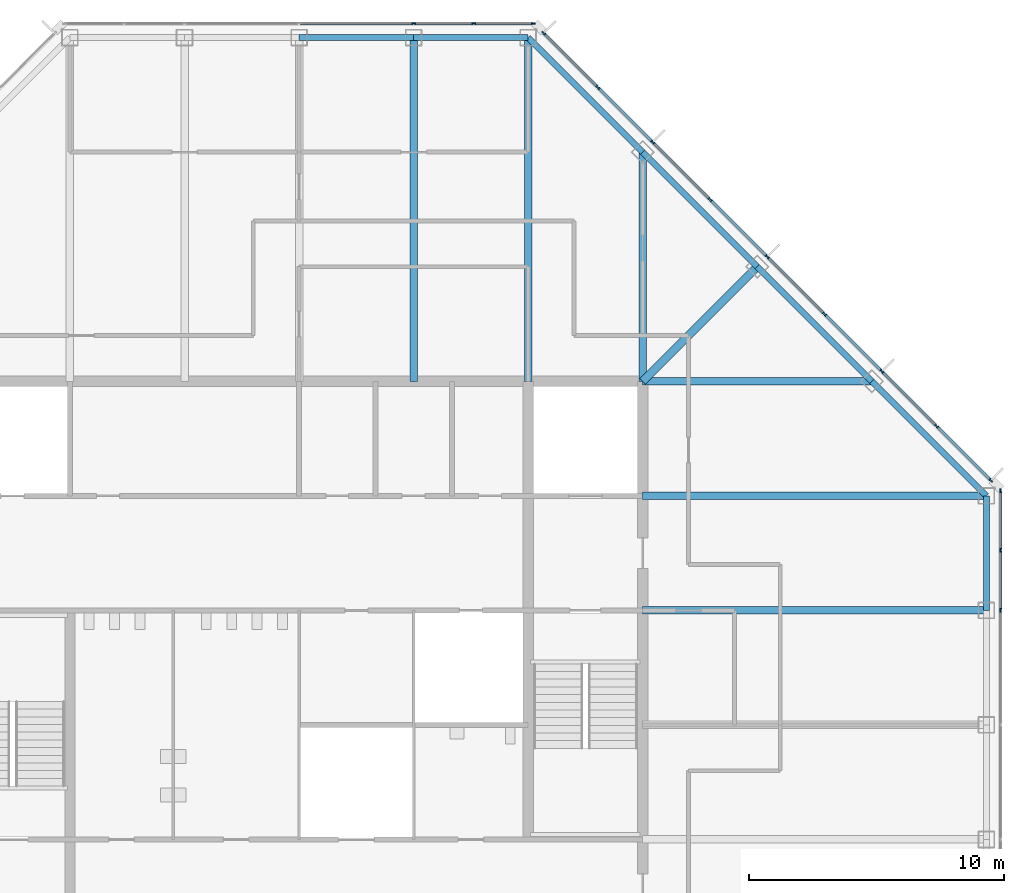
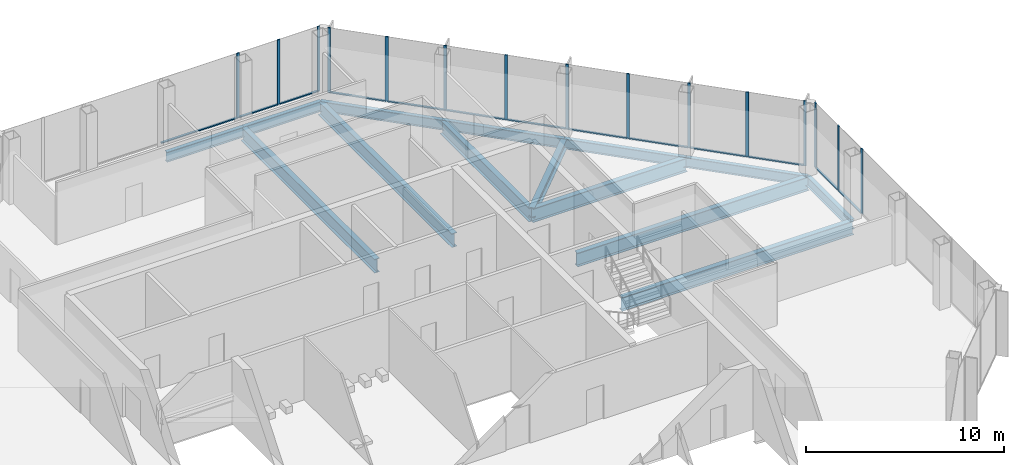
# One storey, part 7 of 13: 28 members, 14 beams, 3 elements without a shape of their own.
"""IFC4 building model written with IfcOpenShell, lengths in metres."""

import ifcopenshell
import ifcopenshell.guid

model = None  # the IFC model being written
_history = None  # IfcOwnerHistory: only IFC2X3 demands one
_inside = {}  # id of a spatial element -> (the spatial element, [elements in it])
_under = {}  # id of a project, library or spatial element -> (it, [spatial elements below it])
_declared = {}  # id of a project -> (the project, [libraries it declares])
_typed = {}  # id of a type object -> (the type object, [elements of that type])
_made_of = {}  # id of a material, layer set ... -> (it, [elements and type objects made of it])


def new_model(schema):
    """Start an empty IFC model of exactly this schema.

    Asked for "IFC4X3", IfcOpenShell would pick the latest addendum, in which some entities
    have other attributes; the version numbers below select the first issue.
    IFC2X3 requires an IfcOwnerHistory on every rooted entity: one is made here for all.
    """
    global model, _history
    if schema == "IFC4X3":
        model = ifcopenshell.file(schema_version=(4, 3, 0, 0))
    else:
        model = ifcopenshell.file(schema=schema)
    _inside.clear()
    _under.clear()
    _declared.clear()
    _typed.clear()
    _made_of.clear()
    _history = None
    if model.schema == "IFC2X3":
        org = make("IfcOrganization", Name="unknown")
        user = make(
            "IfcPersonAndOrganization",
            ThePerson=make("IfcPerson", FamilyName="unknown"),
            TheOrganization=org,
        )
        app = make(
            "IfcApplication",
            ApplicationDeveloper=org,
            Version="unknown",
            ApplicationFullName="unknown",
            ApplicationIdentifier="unknown",
        )
        _history = make(
            "IfcOwnerHistory",
            OwningUser=user,
            OwningApplication=app,
            ChangeAction="ADDED",
            CreationDate=0,
        )
    return model


def make(cls, **values):
    """One entity of the class cls with the attributes given. An attribute that is None is left unset."""
    return model.create_entity(
        cls, **{name: value for name, value in values.items() if value is not None}
    )


def rooted(cls, **values):
    """An entity with a GlobalId (a new one), such as an element, a storey or a relation."""
    return make(cls, GlobalId=ifcopenshell.guid.new(), OwnerHistory=_history, **values)


def si_unit(unit_type, name, prefix=None):
    """IfcSIUnit, for example si_unit("LENGTHUNIT", "METRE", prefix="MILLI")."""
    return make("IfcSIUnit", UnitType=unit_type, Prefix=prefix, Name=name)


def assignment(units):
    """IfcUnitAssignment: the units of a project."""
    return None if units is None else make("IfcUnitAssignment", Units=units)


def point(xyz):
    """IfcCartesianPoint."""
    return None if xyz is None else make("IfcCartesianPoint", Coordinates=xyz)


def direction(xyz):
    """IfcDirection."""
    return None if xyz is None else make("IfcDirection", DirectionRatios=xyz)


def frame(location, z_axis=None, x_axis=None):
    """IfcAxis2Placement3D, a coordinate frame: its origin and axes. An axis left out is left unset."""
    return make(
        "IfcAxis2Placement3D",
        Location=point(location),
        Axis=direction(z_axis),
        RefDirection=direction(x_axis),
    )


def frame_2d(location, x_axis=None):
    """IfcAxis2Placement2D, a coordinate frame in the plane: its origin and x axis."""
    return make(
        "IfcAxis2Placement2D", Location=point(location), RefDirection=direction(x_axis)
    )


def origin():
    """The frame at (0, 0, 0) with its axes left unset."""
    return frame((0.0, 0.0, 0.0))


def origin_2d():
    """The frame at (0, 0) in the plane with its x axis left unset."""
    return frame_2d((0.0, 0.0))


def place(relative_to, where):
    """IfcLocalPlacement: puts the frame where relative to a parent placement (None: the world)."""
    return make(
        "IfcLocalPlacement", PlacementRelTo=relative_to, RelativePlacement=where
    )


def context(
    kind, dimensions, precision=None, world=None, true_north=None, identifier=None
):
    """IfcGeometricRepresentationContext, for example the 3D "Model" context."""
    return make(
        "IfcGeometricRepresentationContext",
        ContextIdentifier=identifier,
        ContextType=kind,
        CoordinateSpaceDimension=dimensions,
        Precision=precision,
        WorldCoordinateSystem=world,
        TrueNorth=true_north,
    )


def subcontext(parent, identifier, kind, view, scale=None):
    """IfcGeometricRepresentationSubContext, for example "Body" below "Model"."""
    return make(
        "IfcGeometricRepresentationSubContext",
        ContextIdentifier=identifier,
        ContextType=kind,
        ParentContext=parent,
        TargetScale=scale,
        TargetView=view,
    )


def project(units=None, contexts=None):
    """IfcProject with its units and contexts."""
    return rooted(
        "IfcProject",
        Name="project",
        RepresentationContexts=contexts,
        UnitsInContext=assignment(units),
    )


def spatial(cls, under=None, at=None, **own):
    """A site, building, storey or space (cls), placed at a placement, below another one or the project."""
    s = rooted(cls, ObjectPlacement=at, **own)
    if under is not None:
        _under.setdefault(under.id(), (under, []))[1].append(s)
    return s


def profile(cls, at=None, kind="AREA", **sizes):
    """A parametric profile (cls). Its sizes go by their IFC names, for example OverallWidth=200.0."""
    return make(cls, ProfileType=kind, Position=at, **sizes)


def rectangle(**sizes):
    """IfcRectangleProfileDef."""
    return profile("IfcRectangleProfileDef", **sizes)


def i_section(**sizes):
    """IfcIShapeProfileDef."""
    return profile("IfcIShapeProfileDef", **sizes)


def extrude(swept, where, along, depth):
    """IfcExtrudedAreaSolid: the profile swept, set in the frame where, extruded along a direction by depth."""
    return make(
        "IfcExtrudedAreaSolid",
        SweptArea=swept,
        Position=where,
        ExtrudedDirection=direction(along),
        Depth=depth,
    )


def shape(context_of_items, identifier, shape_type, items):
    """IfcShapeRepresentation: the items that make up one representation, for example the "Body"."""
    return make(
        "IfcShapeRepresentation",
        ContextOfItems=context_of_items,
        RepresentationIdentifier=identifier,
        RepresentationType=shape_type,
        Items=items,
    )


def material(Name=None, Category=None):
    """IfcMaterial."""
    return make("IfcMaterial", Name=Name, Category=Category)


def material_profile(
    of_material, cross_section, Name=None, Category=None, Priority=None
):
    """IfcMaterialProfile: a cross section and its material."""
    return make(
        "IfcMaterialProfile",
        Name=Name,
        Material=of_material,
        Profile=cross_section,
        Priority=Priority,
        Category=Category,
    )


def profile_set(profiles, Name=None, composite=None):
    """IfcMaterialProfileSet."""
    return make(
        "IfcMaterialProfileSet",
        Name=Name,
        MaterialProfiles=profiles,
        CompositeProfile=composite,
    )


def made_of(thing, what):
    """Note that an element or type object is made of a material, layer set ...; save() writes the relation."""
    if what is not None:
        _made_of.setdefault(what.id(), (what, []))[1].append(thing)
    return thing


def type_object(cls, material=None, **own):
    """A type object (cls), such as IfcWallType, which elements share."""
    return made_of(rooted(cls, **own), material)


def element(
    cls,
    number,
    at=None,
    inside=None,
    cuts=None,
    type_object=None,
    material=None,
    context=None,
    identifier="Body",
    shape_type=None,
    held_by="IfcProductDefinitionShape",
    body=None,
    shapes=None,
    **own,
):
    """One element of the class cls, such as IfcWall. Its Tag is "e" and its number.

    at: its placement. inside: the storey or other place that contains it. cuts: it is an
    opening in that element (IfcRelVoidsElement). A single representation is given by context,
    identifier, shape_type and body (its items); several are given by shapes. held_by: the class
    of the entity that holds the representations. save() writes the other relations.
    """
    e = rooted(cls, Tag="e%d" % number, ObjectPlacement=at, **own)
    if body is not None:
        shapes = [shape(context, identifier, shape_type, body)]
    if shapes is not None:
        e.Representation = make(held_by, Representations=shapes)
    if inside is not None:
        _inside.setdefault(inside.id(), (inside, []))[1].append(e)
    if cuts is not None:
        rooted(
            "IfcRelVoidsElement", RelatingBuildingElement=cuts, RelatedOpeningElement=e
        )
    if type_object is not None:
        _typed.setdefault(type_object.id(), (type_object, []))[1].append(e)
    return made_of(e, material)


def aggregate(whole, parts):
    """IfcRelAggregates: a whole, such as a stair, and the parts it consists of."""
    return rooted("IfcRelAggregates", RelatingObject=whole, RelatedObjects=parts)


def save(model, path):
    """Write the relations noted so far, then the file.

    IfcRelAggregates (storeys below a building ...), IfcRelContainedInSpatialStructure (elements
    in a storey), IfcRelDefinesByType, IfcRelAssociatesMaterial and IfcRelDeclares: one each for
    every whole, place, type object, material and project.
    """
    for whole, parts in _under.values():
        aggregate(whole, parts)
    for where, things in _inside.values():
        rooted(
            "IfcRelContainedInSpatialStructure",
            RelatedElements=things,
            RelatingStructure=where,
        )
    for kind, things in _typed.values():
        rooted("IfcRelDefinesByType", RelatedObjects=things, RelatingType=kind)
    for what, things in _made_of.values():
        rooted("IfcRelAssociatesMaterial", RelatedObjects=things, RelatingMaterial=what)
    for by, libraries in _declared.values():
        rooted("IfcRelDeclares", RelatingContext=by, RelatedDefinitions=libraries)
    model.write(path)


model = new_model("IFC4")

# Units and contexts
model_context = context("Model", 3, precision=1e-05, world=origin(), true_north=direction((0.0, 1.0)))
body_context = subcontext(model_context, "Body", "Model", "MODEL_VIEW")
ifc_project = project(units=[si_unit("LENGTHUNIT", "METRE"), si_unit("AREAUNIT", "SQUARE_METRE"), si_unit("VOLUMEUNIT", "CUBIC_METRE"), si_unit("PLANEANGLEUNIT", "RADIAN"), si_unit("MASSUNIT", "GRAM", prefix="KILO")], contexts=[model_context])

# Site, building, storey
site_placement = place(None, origin())
site = spatial("IfcSite", under=ifc_project, at=site_placement, CompositionType="ELEMENT")
building_placement = place(site_placement, origin())
building = spatial("IfcBuilding", under=site, at=building_placement, Name="Corais Broadcast Tower", CompositionType="ELEMENT")
storey_placement = place(building_placement, frame((0.0, 0.0, 238.60009765625)))
storey = spatial("IfcBuildingStorey", under=building, at=storey_placement, Name="L55", CompositionType="ELEMENT", Elevation=238.60009765625)

# Beams
ifc_material_1 = material(Name="Steel ASTM A572 Grade 50", Category="steel")
ifc_material_profile_1 = material_profile(ifc_material_1, i_section(OverallWidth=0.323974609375, OverallDepth=0.611083984375, WebThickness=0.0126953125, FlangeThickness=0.01904296875, at=origin_2d()), Name="W610x155")
ifc_profile_set_1 = profile_set([ifc_material_profile_1], Name="Steel ASTM A572 Grade 50")
beam_type_1 = type_object("IfcBeamType", Name="Corner diagonal W610x155", PredefinedType="BEAM", material=ifc_profile_set_1)
beam_1_placement = place(storey_placement, frame((45.0, 45.0, -0.465576171875), z_axis=(-0.707106781187, -0.707106781187, 0.0), x_axis=(0.707106781187, -0.707106781187, 0.0)))
element("IfcBeam", 1, at=beam_1_placement, inside=storey, type_object=beam_type_1, Name="B6 L/13 to K/12", PredefinedType="BEAM", context=body_context, shape_type="SweptSolid", body=[
    extrude(i_section(OverallWidth=0.323974609375, OverallDepth=0.611083984375, WebThickness=0.0126953125, FlangeThickness=0.01904296875, at=origin_2d()), origin(), (0.0, 0.0, 1.0), 6.364013671875),
])
ifc_material_2 = material(Name="Steel ASTM A572 Grade 50", Category="steel")
ifc_material_profile_2 = material_profile(ifc_material_2, i_section(OverallWidth=0.2939453125, OverallDepth=0.85107421875, WebThickness=0.01611328125, FlangeThickness=0.02685546875, at=origin_2d()), Name="W840x226")
ifc_profile_set_2 = profile_set([ifc_material_profile_2], Name="Steel ASTM A572 Grade 50")
beam_type_2 = type_object("IfcBeamType", Name="Floor beam W840x226", PredefinedType="BEAM", material=ifc_profile_set_2)
for number, where, z_axis, x_axis, name in (
    (2, (31.5, 54.0, -0.585693359375), (0.0, -1.0, 0.0), (1.0, 0.0, 0.0), "B1 N/10 to K/10"),
    (3, (36.0, 54.0, -0.585693359375), (0.0, -1.0, 0.0), (1.0, 0.0, 0.0), "B1 N/11 to K/11"),
):
    element("IfcBeam", number, at=place(storey_placement, frame(where, z_axis=z_axis, x_axis=x_axis)), inside=storey, type_object=beam_type_2, Name=name, PredefinedType="BEAM", context=body_context, shape_type="SweptSolid", body=[
        extrude(i_section(OverallWidth=0.2939453125, OverallDepth=0.85107421875, WebThickness=0.01611328125, FlangeThickness=0.02685546875, at=origin_2d()), origin(), (0.0, 0.0, 1.0), 13.5),
    ])
for number, where, z_axis, x_axis, name in (
    (4, (40.5, 49.5, -0.585693359375), (0.0, -1.0, 0.0), (1.0, 0.0, 0.0), "B1 M/12 to K/12"),
    (5, (49.5, 40.5, -0.585693359375), (-1.0, 0.0, 0.0), (0.0, -1.0, 0.0), "B1 K/14 to K/12"),
):
    element("IfcBeam", number, at=place(storey_placement, frame(where, z_axis=z_axis, x_axis=x_axis)), inside=storey, type_object=beam_type_2, Name=name, PredefinedType="BEAM", context=body_context, shape_type="SweptSolid", body=[
        extrude(i_section(OverallWidth=0.2939453125, OverallDepth=0.85107421875, WebThickness=0.01611328125, FlangeThickness=0.02685546875, at=origin_2d()), origin(), (0.0, 0.0, 1.0), 9.0),
    ])
for number, where, z_axis, x_axis, name in (
    (6, (54.0, 31.5, -0.585693359375), (-1.0, 0.0, 0.0), (0.0, -1.0, 0.0), "B1 H/15 to H/12"),
    (7, (54.0, 36.0, -0.585693359375), (-1.0, 0.0, 0.0), (0.0, -1.0, 0.0), "B1 J/15 to J/12"),
):
    element("IfcBeam", number, at=place(storey_placement, frame(where, z_axis=z_axis, x_axis=x_axis)), inside=storey, type_object=beam_type_2, Name=name, PredefinedType="BEAM", context=body_context, shape_type="SweptSolid", body=[
        extrude(i_section(OverallWidth=0.2939453125, OverallDepth=0.85107421875, WebThickness=0.01611328125, FlangeThickness=0.02685546875, at=origin_2d()), origin(), (0.0, 0.0, 1.0), 13.5),
    ])

# Curtain wall, members
ifc_material_3 = material(Name="Aluminium and glass", Category="aluminium")
curtain_wall_type = type_object("IfcCurtainWallType", Name="Unitised fritted curtain wall CW3", PredefinedType="NOTDEFINED", material=ifc_material_3)
curtain_wall_1_placement = place(storey_placement, origin())
curtain_wall_1 = element("IfcCurtainWall", 8, at=curtain_wall_1_placement, inside=storey, type_object=curtain_wall_type, Name="CW3 curtain wall L55 4", PredefinedType="NOTDEFINED")
ifc_material_4 = material(Name="Aluminium 6063-T6", Category="aluminium")
ifc_material_profile_3 = material_profile(ifc_material_4, rectangle(XDim=0.06494140625, YDim=0.159912109375, at=origin_2d()), Name="Mullion CW3 65x160")
ifc_profile_set_3 = profile_set([ifc_material_profile_3], Name="Aluminium 6063-T6")
member_type_1 = type_object("IfcMemberType", Name="Mullion CW3 65x160", PredefinedType="MULLION", material=ifc_profile_set_3)
member_1_placement = place(storey_placement, frame((31.5, 54.550048828125, 0.0), z_axis=(0.0, 0.0, 1.0), x_axis=(0.0, 1.0, 0.0)))
member_1 = element("IfcMember", 9, at=member_1_placement, type_object=member_type_1, Name="CW3 mullion 5", PredefinedType="MULLION", context=body_context, shape_type="SweptSolid", body=[
    extrude(rectangle(XDim=0.06494140625, YDim=0.159912109375, at=origin_2d()), origin(), (0.0, 0.0, 1.0), 4.0),
])
member_2_placement = place(storey_placement, frame((33.864013671875, 54.550048828125, 0.0), z_axis=(0.0, 0.0, 1.0), x_axis=(0.0, 1.0, 0.0)))
member_2 = element("IfcMember", 10, at=member_2_placement, type_object=member_type_1, Name="CW3 mullion 6", PredefinedType="MULLION", context=body_context, shape_type="SweptSolid", body=[
    extrude(rectangle(XDim=0.06494140625, YDim=0.159912109375, at=origin_2d()), origin(), (0.0, 0.0, 1.0), 4.0),
])
member_3_placement = place(storey_placement, frame((36.1953125, 54.550048828125, 0.0), z_axis=(0.0, 0.0, 1.0), x_axis=(0.0, 1.0, 0.0)))
member_3 = element("IfcMember", 11, at=member_3_placement, type_object=member_type_1, Name="CW3 mullion 7", PredefinedType="MULLION", context=body_context, shape_type="SweptSolid", body=[
    extrude(rectangle(XDim=0.06494140625, YDim=0.159912109375, at=origin_2d()), origin(), (0.0, 0.0, 1.0), 4.0),
])

curtain_wall_2_placement = place(storey_placement, origin())
curtain_wall_2 = element("IfcCurtainWall", 12, at=curtain_wall_2_placement, inside=storey, type_object=curtain_wall_type, Name="CW3 curtain wall L55 5", PredefinedType="NOTDEFINED")
member_4_placement = place(storey_placement, frame((36.6044921875, 54.17333984375, 0.0), z_axis=(0.0, 0.0, 1.0), x_axis=(0.707106781187, 0.707106781187, 0.0)))
member_4 = element("IfcMember", 13, at=member_4_placement, type_object=member_type_1, Name="CW3 mullion 1", PredefinedType="MULLION", context=body_context, shape_type="SweptSolid", body=[
    extrude(rectangle(XDim=0.06494140625, YDim=0.159912109375, at=origin_2d()), origin(), (0.0, 0.0, 1.0), 4.0),
])
member_5_placement = place(storey_placement, frame((38.735107421875, 52.042724609375, 0.0), z_axis=(0.0, 0.0, 1.0), x_axis=(0.707106781187, 0.707106781187, 0.0)))
member_5 = element("IfcMember", 14, at=member_5_placement, type_object=member_type_1, Name="CW3 mullion 2", PredefinedType="MULLION", context=body_context, shape_type="SweptSolid", body=[
    extrude(rectangle(XDim=0.06494140625, YDim=0.159912109375, at=origin_2d()), origin(), (0.0, 0.0, 1.0), 4.0),
])
member_6_placement = place(storey_placement, frame((40.888916015625, 49.888916015625, 0.0), z_axis=(0.0, 0.0, 1.0), x_axis=(0.707106781187, 0.707106781187, 0.0)))
member_6 = element("IfcMember", 15, at=member_6_placement, type_object=member_type_1, Name="CW3 mullion 3", PredefinedType="MULLION", context=body_context, shape_type="SweptSolid", body=[
    extrude(rectangle(XDim=0.06494140625, YDim=0.159912109375, at=origin_2d()), origin(), (0.0, 0.0, 1.0), 4.0),
])
member_7_placement = place(storey_placement, frame((43.138916015625, 47.638916015625, 0.0), z_axis=(0.0, 0.0, 1.0), x_axis=(0.707106781187, 0.707106781187, 0.0)))
member_7 = element("IfcMember", 16, at=member_7_placement, type_object=member_type_1, Name="CW3 mullion 4", PredefinedType="MULLION", context=body_context, shape_type="SweptSolid", body=[
    extrude(rectangle(XDim=0.06494140625, YDim=0.159912109375, at=origin_2d()), origin(), (0.0, 0.0, 1.0), 4.0),
])
member_8_placement = place(storey_placement, frame((45.388916015625, 45.388916015625, 0.0), z_axis=(0.0, 0.0, 1.0), x_axis=(0.707106781187, 0.707106781187, 0.0)))
member_8 = element("IfcMember", 17, at=member_8_placement, type_object=member_type_1, Name="CW3 mullion 5", PredefinedType="MULLION", context=body_context, shape_type="SweptSolid", body=[
    extrude(rectangle(XDim=0.06494140625, YDim=0.159912109375, at=origin_2d()), origin(), (0.0, 0.0, 1.0), 4.0),
])
member_9_placement = place(storey_placement, frame((47.638916015625, 43.138916015625, 0.0), z_axis=(0.0, 0.0, 1.0), x_axis=(0.707106781187, 0.707106781187, 0.0)))
member_9 = element("IfcMember", 18, at=member_9_placement, type_object=member_type_1, Name="CW3 mullion 6", PredefinedType="MULLION", context=body_context, shape_type="SweptSolid", body=[
    extrude(rectangle(XDim=0.06494140625, YDim=0.159912109375, at=origin_2d()), origin(), (0.0, 0.0, 1.0), 4.0),
])
member_10_placement = place(storey_placement, frame((49.888916015625, 40.888916015625, 0.0), z_axis=(0.0, 0.0, 1.0), x_axis=(0.707106781187, 0.707106781187, 0.0)))
member_10 = element("IfcMember", 19, at=member_10_placement, type_object=member_type_1, Name="CW3 mullion 7", PredefinedType="MULLION", context=body_context, shape_type="SweptSolid", body=[
    extrude(rectangle(XDim=0.06494140625, YDim=0.159912109375, at=origin_2d()), origin(), (0.0, 0.0, 1.0), 4.0),
])
member_11_placement = place(storey_placement, frame((52.042724609375, 38.735107421875, 0.0), z_axis=(0.0, 0.0, 1.0), x_axis=(0.707106781187, 0.707106781187, 0.0)))
member_11 = element("IfcMember", 20, at=member_11_placement, type_object=member_type_1, Name="CW3 mullion 8", PredefinedType="MULLION", context=body_context, shape_type="SweptSolid", body=[
    extrude(rectangle(XDim=0.06494140625, YDim=0.159912109375, at=origin_2d()), origin(), (0.0, 0.0, 1.0), 4.0),
])
member_12_placement = place(storey_placement, frame((54.17333984375, 36.6044921875, 0.0), z_axis=(0.0, 0.0, 1.0), x_axis=(0.707106781187, 0.707106781187, 0.0)))
member_12 = element("IfcMember", 21, at=member_12_placement, type_object=member_type_1, Name="CW3 mullion 9", PredefinedType="MULLION", context=body_context, shape_type="SweptSolid", body=[
    extrude(rectangle(XDim=0.06494140625, YDim=0.159912109375, at=origin_2d()), origin(), (0.0, 0.0, 1.0), 4.0),
])

curtain_wall_3_placement = place(storey_placement, origin())
curtain_wall_3 = element("IfcCurtainWall", 22, at=curtain_wall_3_placement, inside=storey, type_object=curtain_wall_type, Name="CW3 curtain wall L55 6", PredefinedType="NOTDEFINED")
member_13_placement = place(storey_placement, frame((54.550048828125, 36.1953125, 0.0), z_axis=(0.0, 0.0, 1.0), x_axis=(1.0, 0.0, 0.0)))
member_13 = element("IfcMember", 23, at=member_13_placement, type_object=member_type_1, Name="CW3 mullion 1", PredefinedType="MULLION", context=body_context, shape_type="SweptSolid", body=[
    extrude(rectangle(XDim=0.06494140625, YDim=0.159912109375, at=origin_2d()), origin(), (0.0, 0.0, 1.0), 4.0),
])
member_14_placement = place(storey_placement, frame((54.550048828125, 33.864013671875, 0.0), z_axis=(0.0, 0.0, 1.0), x_axis=(1.0, 0.0, 0.0)))
member_14 = element("IfcMember", 24, at=member_14_placement, type_object=member_type_1, Name="CW3 mullion 2", PredefinedType="MULLION", context=body_context, shape_type="SweptSolid", body=[
    extrude(rectangle(XDim=0.06494140625, YDim=0.159912109375, at=origin_2d()), origin(), (0.0, 0.0, 1.0), 4.0),
])
member_15_placement = place(storey_placement, frame((54.550048828125, 31.5, 0.0), z_axis=(0.0, 0.0, 1.0), x_axis=(1.0, 0.0, 0.0)))
member_15 = element("IfcMember", 25, at=member_15_placement, type_object=member_type_1, Name="CW3 mullion 3", PredefinedType="MULLION", context=body_context, shape_type="SweptSolid", body=[
    extrude(rectangle(XDim=0.06494140625, YDim=0.159912109375, at=origin_2d()), origin(), (0.0, 0.0, 1.0), 4.0),
])

# Beams
ifc_material_5 = material(Name="Steel ASTM A572 Grade 50", Category="steel")
ifc_material_profile_4 = material_profile(ifc_material_5, i_section(OverallWidth=0.22998046875, OverallDepth=0.616943359375, WebThickness=0.01318359375, FlangeThickness=0.022216796875, at=origin_2d()), Name="W610x140")
ifc_profile_set_4 = profile_set([ifc_material_profile_4], Name="Steel ASTM A572 Grade 50")
beam_type_3 = type_object("IfcBeamType", Name="Spandrel W610x140", PredefinedType="BEAM", material=ifc_profile_set_4)
for number, where, z_axis, x_axis, name in (
    (26, (31.5, 54.0, -0.468505859375), (-1.0, 0.0, 0.0), (0.0, -1.0, 0.0), "SB3 N/10 to N/9"),
    (27, (36.0, 54.0, -0.468505859375), (-1.0, 0.0, 0.0), (0.0, -1.0, 0.0), "SB3 N/11 to N/10"),
):
    element("IfcBeam", number, at=place(storey_placement, frame(where, z_axis=z_axis, x_axis=x_axis)), inside=storey, type_object=beam_type_3, Name=name, PredefinedType="BEAM", context=body_context, shape_type="SweptSolid", body=[
        extrude(i_section(OverallWidth=0.22998046875, OverallDepth=0.616943359375, WebThickness=0.01318359375, FlangeThickness=0.022216796875, at=origin_2d()), origin(), (0.0, 0.0, 1.0), 4.5),
    ])
for number, where, z_axis, x_axis, name in (
    (28, (40.5, 49.5, -0.468505859375), (-0.707106781187, 0.707106781187, 0.0), (-0.707106781187, -0.707106781187, 0.0), "SB3 M/12 to N/11"),
    (29, (45.0, 45.0, -0.468505859375), (-0.707106781187, 0.707106781187, 0.0), (-0.707106781187, -0.707106781187, 0.0), "SB3 L/13 to M/12"),
    (30, (49.5, 40.5, -0.468505859375), (-0.707106781187, 0.707106781187, 0.0), (-0.707106781187, -0.707106781187, 0.0), "SB3 K/14 to L/13"),
):
    element("IfcBeam", number, at=place(storey_placement, frame(where, z_axis=z_axis, x_axis=x_axis)), inside=storey, type_object=beam_type_3, Name=name, PredefinedType="BEAM", context=body_context, shape_type="SweptSolid", body=[
        extrude(i_section(OverallWidth=0.22998046875, OverallDepth=0.616943359375, WebThickness=0.01318359375, FlangeThickness=0.022216796875, at=origin_2d()), origin(), (0.0, 0.0, 1.0), 6.364013671875),
    ])
beam_2_placement = place(storey_placement, frame((54.0, 31.5, -0.468505859375), z_axis=(0.0, 1.0, 0.0), x_axis=(-1.0, 0.0, 0.0)))
element("IfcBeam", 31, at=beam_2_placement, inside=storey, type_object=beam_type_3, Name="SB3 H/15 to J/15", PredefinedType="BEAM", context=body_context, shape_type="SweptSolid", body=[
    extrude(i_section(OverallWidth=0.22998046875, OverallDepth=0.616943359375, WebThickness=0.01318359375, FlangeThickness=0.022216796875, at=origin_2d()), origin(), (0.0, 0.0, 1.0), 4.5),
])
beam_3_placement = place(storey_placement, frame((54.0, 36.0, -0.468505859375), z_axis=(-0.707106781187, 0.707106781187, 0.0), x_axis=(-0.707106781187, -0.707106781187, 0.0)))
element("IfcBeam", 32, at=beam_3_placement, inside=storey, type_object=beam_type_3, Name="SB3 J/15 to K/14", PredefinedType="BEAM", context=body_context, shape_type="SweptSolid", body=[
    extrude(i_section(OverallWidth=0.22998046875, OverallDepth=0.616943359375, WebThickness=0.01318359375, FlangeThickness=0.022216796875, at=origin_2d()), origin(), (0.0, 0.0, 1.0), 6.364013671875),
])

# Member
ifc_material_6 = material(Name="Aluminium 6063-T6", Category="aluminium")
ifc_material_profile_5 = material_profile(ifc_material_6, rectangle(XDim=0.1201171875, YDim=0.06494140625, at=origin_2d()), Name="Transom CW3 65x120")
ifc_profile_set_5 = profile_set([ifc_material_profile_5], Name="Aluminium 6063-T6")
member_type_2 = type_object("IfcMemberType", Name="Transom CW3 65x120", PredefinedType="USERDEFINED", material=ifc_profile_set_5)
member_16_placement = place(storey_placement, frame((27.032470703125, 54.550048828125, 0.032470703125), z_axis=(1.0, 0.0, 0.0), x_axis=(0.0, 1.0, 0.0)))
member_16 = element("IfcMember", 33, at=member_16_placement, type_object=member_type_2, Name="CW3 transom 4.1", ObjectType="TRANSOM", PredefinedType="USERDEFINED", context=body_context, shape_type="SweptSolid", body=[
    extrude(rectangle(XDim=0.1201171875, YDim=0.06494140625, at=origin_2d()), origin(), (0.0, 0.0, 1.0), 4.43505859375),
])

member_17_placement = place(storey_placement, frame((31.532470703125, 54.550048828125, 0.032470703125), z_axis=(1.0, 0.0, 0.0), x_axis=(0.0, 1.0, 0.0)))
member_17 = element("IfcMember", 34, at=member_17_placement, type_object=member_type_2, Name="CW3 transom 5.1", ObjectType="TRANSOM", PredefinedType="USERDEFINED", context=body_context, shape_type="SweptSolid", body=[
    extrude(rectangle(XDim=0.1201171875, YDim=0.06494140625, at=origin_2d()), origin(), (0.0, 0.0, 1.0), 2.298828125),
])

member_18_placement = place(storey_placement, frame((33.896484375, 54.550048828125, 0.032470703125), z_axis=(1.0, 0.0, 0.0), x_axis=(0.0, 1.0, 0.0)))
member_18 = element("IfcMember", 35, at=member_18_placement, type_object=member_type_2, Name="CW3 transom 6.1", ObjectType="TRANSOM", PredefinedType="USERDEFINED", context=body_context, shape_type="SweptSolid", body=[
    extrude(rectangle(XDim=0.1201171875, YDim=0.06494140625, at=origin_2d()), origin(), (0.0, 0.0, 1.0), 2.266357421875),
])

aggregate(curtain_wall_1, [member_1, member_2, member_3, member_16, member_17, member_18])

member_19_placement = place(storey_placement, frame((36.62744140625, 54.150390625, 0.032470703125), z_axis=(0.707106781187, -0.707106781187, 0.0), x_axis=(0.707106781187, 0.707106781187, 0.0)))
member_19 = element("IfcMember", 36, at=member_19_placement, type_object=member_type_2, Name="CW3 transom 1.1", ObjectType="TRANSOM", PredefinedType="USERDEFINED", context=body_context, shape_type="SweptSolid", body=[
    extrude(rectangle(XDim=0.1201171875, YDim=0.06494140625, at=origin_2d()), origin(), (0.0, 0.0, 1.0), 2.9482421875),
])

member_20_placement = place(storey_placement, frame((38.758056640625, 52.019775390625, 0.032470703125), z_axis=(0.707106781187, -0.707106781187, 0.0), x_axis=(0.707106781187, 0.707106781187, 0.0)))
member_20 = element("IfcMember", 37, at=member_20_placement, type_object=member_type_2, Name="CW3 transom 2.1", ObjectType="TRANSOM", PredefinedType="USERDEFINED", context=body_context, shape_type="SweptSolid", body=[
    extrude(rectangle(XDim=0.1201171875, YDim=0.06494140625, at=origin_2d()), origin(), (0.0, 0.0, 1.0), 2.98095703125),
])

member_21_placement = place(storey_placement, frame((40.911865234375, 49.865966796875, 0.032470703125), z_axis=(0.707106781187, -0.707106781187, 0.0), x_axis=(0.707106781187, 0.707106781187, 0.0)))
member_21 = element("IfcMember", 38, at=member_21_placement, type_object=member_type_2, Name="CW3 transom 3.1", ObjectType="TRANSOM", PredefinedType="USERDEFINED", context=body_context, shape_type="SweptSolid", body=[
    extrude(rectangle(XDim=0.1201171875, YDim=0.06494140625, at=origin_2d()), origin(), (0.0, 0.0, 1.0), 3.1171875),
])

member_22_placement = place(storey_placement, frame((43.161865234375, 47.615966796875, 0.032470703125), z_axis=(0.707106781187, -0.707106781187, 0.0), x_axis=(0.707106781187, 0.707106781187, 0.0)))
member_22 = element("IfcMember", 39, at=member_22_placement, type_object=member_type_2, Name="CW3 transom 4.1", ObjectType="TRANSOM", PredefinedType="USERDEFINED", context=body_context, shape_type="SweptSolid", body=[
    extrude(rectangle(XDim=0.1201171875, YDim=0.06494140625, at=origin_2d()), origin(), (0.0, 0.0, 1.0), 3.1171875),
])

member_23_placement = place(storey_placement, frame((45.411865234375, 45.365966796875, 0.032470703125), z_axis=(0.707106781187, -0.707106781187, 0.0), x_axis=(0.707106781187, 0.707106781187, 0.0)))
member_23 = element("IfcMember", 40, at=member_23_placement, type_object=member_type_2, Name="CW3 transom 5.1", ObjectType="TRANSOM", PredefinedType="USERDEFINED", context=body_context, shape_type="SweptSolid", body=[
    extrude(rectangle(XDim=0.1201171875, YDim=0.06494140625, at=origin_2d()), origin(), (0.0, 0.0, 1.0), 3.1171875),
])

member_24_placement = place(storey_placement, frame((47.661865234375, 43.115966796875, 0.032470703125), z_axis=(0.707106781187, -0.707106781187, 0.0), x_axis=(0.707106781187, 0.707106781187, 0.0)))
member_24 = element("IfcMember", 41, at=member_24_placement, type_object=member_type_2, Name="CW3 transom 6.1", ObjectType="TRANSOM", PredefinedType="USERDEFINED", context=body_context, shape_type="SweptSolid", body=[
    extrude(rectangle(XDim=0.1201171875, YDim=0.06494140625, at=origin_2d()), origin(), (0.0, 0.0, 1.0), 3.1171875),
])

member_25_placement = place(storey_placement, frame((49.911865234375, 40.865966796875, 0.032470703125), z_axis=(0.707065828661, -0.70714773134, 0.0), x_axis=(0.70714773134, 0.707065828661, 0.0)))
member_25 = element("IfcMember", 42, at=member_25_placement, type_object=member_type_2, Name="CW3 transom 7.1", ObjectType="TRANSOM", PredefinedType="USERDEFINED", context=body_context, shape_type="SweptSolid", body=[
    extrude(rectangle(XDim=0.1201171875, YDim=0.06494140625, at=origin_2d()), origin(), (0.0, 0.0, 1.0), 2.98095703125),
])

member_26_placement = place(storey_placement, frame((52.065673828125, 38.712158203125, 0.032470703125), z_axis=(0.707106781187, -0.707106781187, 0.0), x_axis=(0.707106781187, 0.707106781187, 0.0)))
member_26 = element("IfcMember", 43, at=member_26_placement, type_object=member_type_2, Name="CW3 transom 8.1", ObjectType="TRANSOM", PredefinedType="USERDEFINED", context=body_context, shape_type="SweptSolid", body=[
    extrude(rectangle(XDim=0.1201171875, YDim=0.06494140625, at=origin_2d()), origin(), (0.0, 0.0, 1.0), 2.9482421875),
])

aggregate(curtain_wall_2, [member_4, member_5, member_6, member_7, member_8, member_9, member_10, member_11, member_12, member_19, member_20, member_21, member_22, member_23, member_24, member_25, member_26])

member_27_placement = place(storey_placement, frame((54.550048828125, 36.162841796875, 0.032470703125), z_axis=(0.0, -1.0, 0.0), x_axis=(1.0, 0.0, 0.0)))
member_27 = element("IfcMember", 44, at=member_27_placement, type_object=member_type_2, Name="CW3 transom 1.1", ObjectType="TRANSOM", PredefinedType="USERDEFINED", context=body_context, shape_type="SweptSolid", body=[
    extrude(rectangle(XDim=0.1201171875, YDim=0.06494140625, at=origin_2d()), origin(), (0.0, 0.0, 1.0), 2.266357421875),
])

member_28_placement = place(storey_placement, frame((54.550048828125, 33.831298828125, 0.032470703125), z_axis=(0.0, -1.0, 0.0), x_axis=(1.0, 0.0, 0.0)))
member_28 = element("IfcMember", 45, at=member_28_placement, type_object=member_type_2, Name="CW3 transom 2.1", ObjectType="TRANSOM", PredefinedType="USERDEFINED", context=body_context, shape_type="SweptSolid", body=[
    extrude(rectangle(XDim=0.1201171875, YDim=0.06494140625, at=origin_2d()), origin(), (0.0, 0.0, 1.0), 2.298828125),
])

aggregate(curtain_wall_3, [member_13, member_14, member_15, member_27, member_28])

save(model, "model.ifc")
